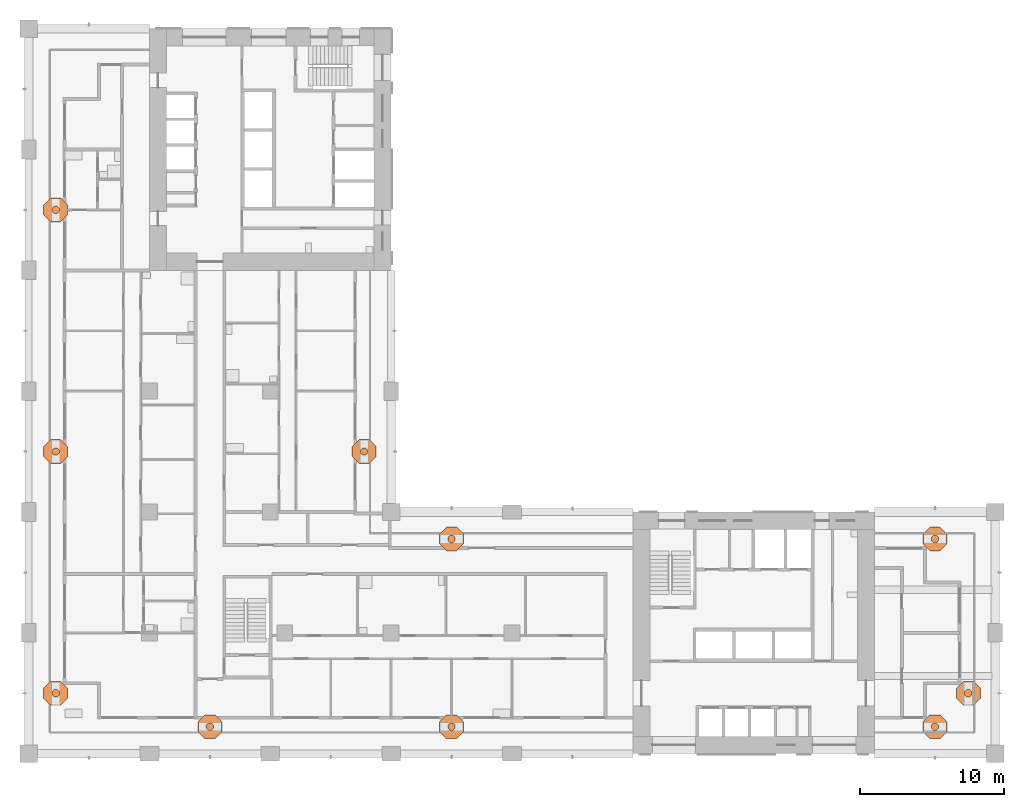
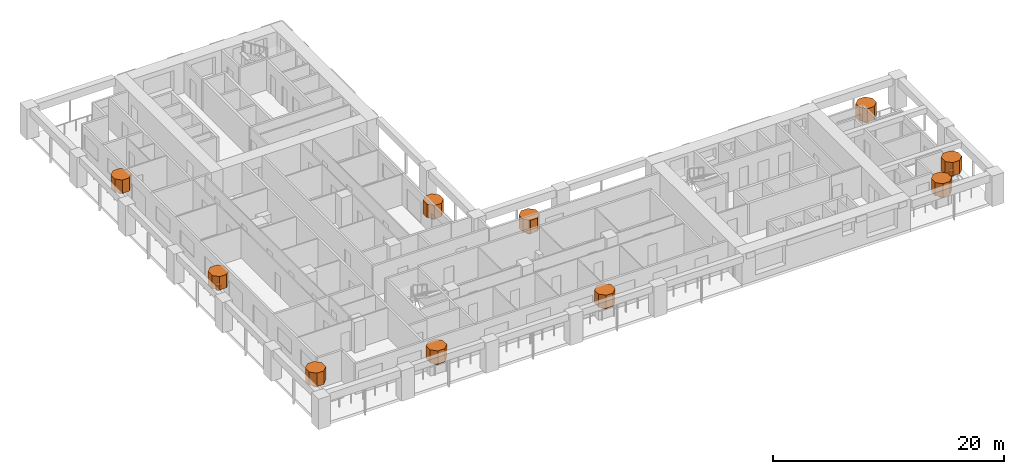
# One storey, part 18 of 18: 20 geographic elements.
"""IFC4 building model written with IfcOpenShell, lengths in metres."""

import ifcopenshell
import ifcopenshell.guid

model = None  # the IFC model being written
_history = None  # IfcOwnerHistory: only IFC2X3 demands one
_inside = {}  # id of a spatial element -> (the spatial element, [elements in it])
_under = {}  # id of a project, library or spatial element -> (it, [spatial elements below it])
_declared = {}  # id of a project -> (the project, [libraries it declares])
_typed = {}  # id of a type object -> (the type object, [elements of that type])
_made_of = {}  # id of a material, layer set ... -> (it, [elements and type objects made of it])


def new_model(schema):
    """Start an empty IFC model of exactly this schema.

    Asked for "IFC4X3", IfcOpenShell would pick the latest addendum, in which some entities
    have other attributes; the version numbers below select the first issue.
    IFC2X3 requires an IfcOwnerHistory on every rooted entity: one is made here for all.
    """
    global model, _history
    if schema == "IFC4X3":
        model = ifcopenshell.file(schema_version=(4, 3, 0, 0))
    else:
        model = ifcopenshell.file(schema=schema)
    _inside.clear()
    _under.clear()
    _declared.clear()
    _typed.clear()
    _made_of.clear()
    _history = None
    if model.schema == "IFC2X3":
        org = make("IfcOrganization", Name="unknown")
        user = make(
            "IfcPersonAndOrganization",
            ThePerson=make("IfcPerson", FamilyName="unknown"),
            TheOrganization=org,
        )
        app = make(
            "IfcApplication",
            ApplicationDeveloper=org,
            Version="unknown",
            ApplicationFullName="unknown",
            ApplicationIdentifier="unknown",
        )
        _history = make(
            "IfcOwnerHistory",
            OwningUser=user,
            OwningApplication=app,
            ChangeAction="ADDED",
            CreationDate=0,
        )
    return model


def make(cls, **values):
    """One entity of the class cls with the attributes given. An attribute that is None is left unset."""
    return model.create_entity(
        cls, **{name: value for name, value in values.items() if value is not None}
    )


def rooted(cls, **values):
    """An entity with a GlobalId (a new one), such as an element, a storey or a relation."""
    return make(cls, GlobalId=ifcopenshell.guid.new(), OwnerHistory=_history, **values)


def si_unit(unit_type, name, prefix=None):
    """IfcSIUnit, for example si_unit("LENGTHUNIT", "METRE", prefix="MILLI")."""
    return make("IfcSIUnit", UnitType=unit_type, Prefix=prefix, Name=name)


def assignment(units):
    """IfcUnitAssignment: the units of a project."""
    return None if units is None else make("IfcUnitAssignment", Units=units)


def point(xyz):
    """IfcCartesianPoint."""
    return None if xyz is None else make("IfcCartesianPoint", Coordinates=xyz)


def direction(xyz):
    """IfcDirection."""
    return None if xyz is None else make("IfcDirection", DirectionRatios=xyz)


def frame(location, z_axis=None, x_axis=None):
    """IfcAxis2Placement3D, a coordinate frame: its origin and axes. An axis left out is left unset."""
    return make(
        "IfcAxis2Placement3D",
        Location=point(location),
        Axis=direction(z_axis),
        RefDirection=direction(x_axis),
    )


def origin():
    """The frame at (0, 0, 0) with its axes left unset."""
    return frame((0.0, 0.0, 0.0))


def place(relative_to, where):
    """IfcLocalPlacement: puts the frame where relative to a parent placement (None: the world)."""
    return make(
        "IfcLocalPlacement", PlacementRelTo=relative_to, RelativePlacement=where
    )


def context(
    kind, dimensions, precision=None, world=None, true_north=None, identifier=None
):
    """IfcGeometricRepresentationContext, for example the 3D "Model" context."""
    return make(
        "IfcGeometricRepresentationContext",
        ContextIdentifier=identifier,
        ContextType=kind,
        CoordinateSpaceDimension=dimensions,
        Precision=precision,
        WorldCoordinateSystem=world,
        TrueNorth=true_north,
    )


def subcontext(parent, identifier, kind, view, scale=None):
    """IfcGeometricRepresentationSubContext, for example "Body" below "Model"."""
    return make(
        "IfcGeometricRepresentationSubContext",
        ContextIdentifier=identifier,
        ContextType=kind,
        ParentContext=parent,
        TargetScale=scale,
        TargetView=view,
    )


def project(units=None, contexts=None):
    """IfcProject with its units and contexts."""
    return rooted(
        "IfcProject",
        Name="project",
        RepresentationContexts=contexts,
        UnitsInContext=assignment(units),
    )


def spatial(cls, under=None, at=None, **own):
    """A site, building, storey or space (cls), placed at a placement, below another one or the project."""
    s = rooted(cls, ObjectPlacement=at, **own)
    if under is not None:
        _under.setdefault(under.id(), (under, []))[1].append(s)
    return s


def polyline(points):
    """IfcPolyline through the points."""
    return make("IfcPolyline", Points=[point(p) for p in points])


def outline(outer, holes=None, kind="AREA"):
    """IfcArbitraryClosedProfileDef: a profile drawn as a closed curve; with holes, ...WithVoids."""
    if holes is None:
        return make("IfcArbitraryClosedProfileDef", ProfileType=kind, OuterCurve=outer)
    return make(
        "IfcArbitraryProfileDefWithVoids",
        ProfileType=kind,
        OuterCurve=outer,
        InnerCurves=holes,
    )


def extrude(swept, where, along, depth):
    """IfcExtrudedAreaSolid: the profile swept, set in the frame where, extruded along a direction by depth."""
    return make(
        "IfcExtrudedAreaSolid",
        SweptArea=swept,
        Position=where,
        ExtrudedDirection=direction(along),
        Depth=depth,
    )


def shape(context_of_items, identifier, shape_type, items):
    """IfcShapeRepresentation: the items that make up one representation, for example the "Body"."""
    return make(
        "IfcShapeRepresentation",
        ContextOfItems=context_of_items,
        RepresentationIdentifier=identifier,
        RepresentationType=shape_type,
        Items=items,
    )


def material(Name=None, Category=None):
    """IfcMaterial."""
    return make("IfcMaterial", Name=Name, Category=Category)


def made_of(thing, what):
    """Note that an element or type object is made of a material, layer set ...; save() writes the relation."""
    if what is not None:
        _made_of.setdefault(what.id(), (what, []))[1].append(thing)
    return thing


def element(
    cls,
    number,
    at=None,
    inside=None,
    cuts=None,
    type_object=None,
    material=None,
    context=None,
    identifier="Body",
    shape_type=None,
    held_by="IfcProductDefinitionShape",
    body=None,
    shapes=None,
    **own,
):
    """One element of the class cls, such as IfcWall. Its Tag is "e" and its number.

    at: its placement. inside: the storey or other place that contains it. cuts: it is an
    opening in that element (IfcRelVoidsElement). A single representation is given by context,
    identifier, shape_type and body (its items); several are given by shapes. held_by: the class
    of the entity that holds the representations. save() writes the other relations.
    """
    e = rooted(cls, Tag="e%d" % number, ObjectPlacement=at, **own)
    if body is not None:
        shapes = [shape(context, identifier, shape_type, body)]
    if shapes is not None:
        e.Representation = make(held_by, Representations=shapes)
    if inside is not None:
        _inside.setdefault(inside.id(), (inside, []))[1].append(e)
    if cuts is not None:
        rooted(
            "IfcRelVoidsElement", RelatingBuildingElement=cuts, RelatedOpeningElement=e
        )
    if type_object is not None:
        _typed.setdefault(type_object.id(), (type_object, []))[1].append(e)
    return made_of(e, material)


def aggregate(whole, parts):
    """IfcRelAggregates: a whole, such as a stair, and the parts it consists of."""
    return rooted("IfcRelAggregates", RelatingObject=whole, RelatedObjects=parts)


def save(model, path):
    """Write the relations noted so far, then the file.

    IfcRelAggregates (storeys below a building ...), IfcRelContainedInSpatialStructure (elements
    in a storey), IfcRelDefinesByType, IfcRelAssociatesMaterial and IfcRelDeclares: one each for
    every whole, place, type object, material and project.
    """
    for whole, parts in _under.values():
        aggregate(whole, parts)
    for where, things in _inside.values():
        rooted(
            "IfcRelContainedInSpatialStructure",
            RelatedElements=things,
            RelatingStructure=where,
        )
    for kind, things in _typed.values():
        rooted("IfcRelDefinesByType", RelatedObjects=things, RelatingType=kind)
    for what, things in _made_of.values():
        rooted("IfcRelAssociatesMaterial", RelatedObjects=things, RelatingMaterial=what)
    for by, libraries in _declared.values():
        rooted("IfcRelDeclares", RelatingContext=by, RelatedDefinitions=libraries)
    model.write(path)


model = new_model("IFC4")

# Units and contexts
model_context = context("Model", 3, precision=1e-05, world=origin(), true_north=direction((0.0, 1.0)))
body_context = subcontext(model_context, "Body", "Model", "MODEL_VIEW")
ifc_project = project(units=[si_unit("LENGTHUNIT", "METRE"), si_unit("AREAUNIT", "SQUARE_METRE"), si_unit("VOLUMEUNIT", "CUBIC_METRE"), si_unit("PLANEANGLEUNIT", "RADIAN"), si_unit("MASSUNIT", "GRAM", prefix="KILO")], contexts=[model_context])

# Site, building, storey
site_placement = place(None, origin())
site = spatial("IfcSite", under=ifc_project, at=site_placement, CompositionType="ELEMENT")
building_placement = place(site_placement, origin())
building = spatial("IfcBuilding", under=site, at=building_placement, Name="Vermilion Gate Residences", CompositionType="ELEMENT")
storey_placement = place(building_placement, frame((0.0, 0.0, 105.699951171875)))
storey = spatial("IfcBuildingStorey", under=building, at=storey_placement, Name="L26", CompositionType="ELEMENT", Elevation=105.699951171875)

# Geographic elements
ifc_material = material(Name="Foliage")
geographic_element_1_placement = place(storey_placement, frame((0.0, 0.0, 0.900146484375)))
element("IfcGeographicElement", 1, at=geographic_element_1_placement, inside=storey, material=ifc_material, Name="Tree (black pine)", ObjectType="TREE", PredefinedType="USERDEFINED", context=body_context, shape_type="SweptSolid", body=[
    extrude(outline(polyline([(12.85400390625, 10.380126953125), (12.705078125, 10.529052734375), (12.494873046875, 10.529052734375), (12.345947265625, 10.380126953125), (12.345947265625, 10.169921875), (12.494873046875, 10.02099609375), (12.705078125, 10.02099609375), (12.85400390625, 10.169921875), (12.85400390625, 10.380126953125)])), origin(), (0.0, 0.0, 1.0), 0.52001953125),
])
geographic_element_2_placement = place(storey_placement, frame((0.0, 0.0, 1.420166015625)))
element("IfcGeographicElement", 2, at=geographic_element_2_placement, inside=storey, material=ifc_material, Name="Tree crown (black pine)", ObjectType="TREE", PredefinedType="USERDEFINED", context=body_context, shape_type="SweptSolid", body=[
    extrude(outline(polyline([(13.431396484375, 10.619384765625), (12.9443359375, 11.1064453125), (12.255615234375, 11.1064453125), (11.7685546875, 10.619384765625), (11.7685546875, 9.9306640625), (12.255615234375, 9.443603515625), (12.9443359375, 9.443603515625), (13.431396484375, 9.9306640625), (13.431396484375, 10.619384765625)])), origin(), (0.0, 0.0, 1.0), 1.39990234375),
])
geographic_element_3_placement = place(storey_placement, frame((0.0, 0.0, 0.900146484375)))
element("IfcGeographicElement", 3, at=geographic_element_3_placement, inside=storey, material=ifc_material, Name="Tree (maple)", ObjectType="TREE", PredefinedType="USERDEFINED", context=body_context, shape_type="SweptSolid", body=[
    extrude(outline(polyline([(29.654052734375, 10.380126953125), (29.505126953125, 10.529052734375), (29.294921875, 10.529052734375), (29.14599609375, 10.380126953125), (29.14599609375, 10.169921875), (29.294921875, 10.02099609375), (29.505126953125, 10.02099609375), (29.654052734375, 10.169921875), (29.654052734375, 10.380126953125)])), origin(), (0.0, 0.0, 1.0), 0.52001953125),
])
geographic_element_4_placement = place(storey_placement, frame((0.0, 0.0, 1.420166015625)))
element("IfcGeographicElement", 4, at=geographic_element_4_placement, inside=storey, material=ifc_material, Name="Tree crown (maple)", ObjectType="TREE", PredefinedType="USERDEFINED", context=body_context, shape_type="SweptSolid", body=[
    extrude(outline(polyline([(30.2314453125, 10.619384765625), (29.744384765625, 11.1064453125), (29.0556640625, 11.1064453125), (28.568603515625, 10.619384765625), (28.568603515625, 9.9306640625), (29.0556640625, 9.443603515625), (29.744384765625, 9.443603515625), (30.2314453125, 9.9306640625), (30.2314453125, 10.619384765625)])), origin(), (0.0, 0.0, 1.0), 1.39990234375),
])
geographic_element_5_placement = place(storey_placement, frame((0.0, 0.0, 0.900146484375)))
element("IfcGeographicElement", 5, at=geographic_element_5_placement, inside=storey, material=ifc_material, Name="Tree (maple)", ObjectType="TREE", PredefinedType="USERDEFINED", context=body_context, shape_type="SweptSolid", body=[
    extrude(outline(polyline([(63.254150390625, 10.380126953125), (63.105224609375, 10.529052734375), (62.894775390625, 10.529052734375), (62.745849609375, 10.380126953125), (62.745849609375, 10.169921875), (62.894775390625, 10.02099609375), (63.105224609375, 10.02099609375), (63.254150390625, 10.169921875), (63.254150390625, 10.380126953125)])), origin(), (0.0, 0.0, 1.0), 0.52001953125),
])
geographic_element_6_placement = place(storey_placement, frame((0.0, 0.0, 1.420166015625)))
element("IfcGeographicElement", 6, at=geographic_element_6_placement, inside=storey, material=ifc_material, Name="Tree crown (maple)", ObjectType="TREE", PredefinedType="USERDEFINED", context=body_context, shape_type="SweptSolid", body=[
    extrude(outline(polyline([(63.83154296875, 10.619384765625), (63.344482421875, 11.1064453125), (62.655517578125, 11.1064453125), (62.16845703125, 10.619384765625), (62.16845703125, 9.9306640625), (62.655517578125, 9.443603515625), (63.344482421875, 9.443603515625), (63.83154296875, 9.9306640625), (63.83154296875, 10.619384765625)])), origin(), (0.0, 0.0, 1.0), 1.39990234375),
])
geographic_element_7_placement = place(storey_placement, frame((0.0, 0.0, 0.900146484375)))
element("IfcGeographicElement", 7, at=geographic_element_7_placement, inside=storey, material=ifc_material, Name="Tree (black pine)", ObjectType="TREE", PredefinedType="USERDEFINED", context=body_context, shape_type="SweptSolid", body=[
    extrude(outline(polyline([(65.5791015625, 12.705078125), (65.43017578125, 12.85400390625), (65.2197265625, 12.85400390625), (65.07080078125, 12.705078125), (65.07080078125, 12.494873046875), (65.2197265625, 12.345947265625), (65.43017578125, 12.345947265625), (65.5791015625, 12.494873046875), (65.5791015625, 12.705078125)])), origin(), (0.0, 0.0, 1.0), 0.52001953125),
])
geographic_element_8_placement = place(storey_placement, frame((0.0, 0.0, 1.420166015625)))
element("IfcGeographicElement", 8, at=geographic_element_8_placement, inside=storey, material=ifc_material, Name="Tree crown (black pine)", ObjectType="TREE", PredefinedType="USERDEFINED", context=body_context, shape_type="SweptSolid", body=[
    extrude(outline(polyline([(66.156494140625, 12.9443359375), (65.66943359375, 13.431396484375), (64.980712890625, 13.431396484375), (64.493408203125, 12.9443359375), (64.493408203125, 12.255615234375), (64.980712890625, 11.7685546875), (65.66943359375, 11.7685546875), (66.156494140625, 12.255615234375), (66.156494140625, 12.9443359375)])), origin(), (0.0, 0.0, 1.0), 1.39990234375),
])
geographic_element_9_placement = place(storey_placement, frame((0.0, 0.0, 0.900146484375)))
element("IfcGeographicElement", 9, at=geographic_element_9_placement, inside=storey, material=ifc_material, Name="Tree (maple)", ObjectType="TREE", PredefinedType="USERDEFINED", context=body_context, shape_type="SweptSolid", body=[
    extrude(outline(polyline([(29.654052734375, 23.43017578125), (29.505126953125, 23.5791015625), (29.294921875, 23.5791015625), (29.14599609375, 23.43017578125), (29.14599609375, 23.2197265625), (29.294921875, 23.07080078125), (29.505126953125, 23.07080078125), (29.654052734375, 23.2197265625), (29.654052734375, 23.43017578125)])), origin(), (0.0, 0.0, 1.0), 0.52001953125),
])
geographic_element_10_placement = place(storey_placement, frame((0.0, 0.0, 1.420166015625)))
element("IfcGeographicElement", 10, at=geographic_element_10_placement, inside=storey, material=ifc_material, Name="Tree crown (maple)", ObjectType="TREE", PredefinedType="USERDEFINED", context=body_context, shape_type="SweptSolid", body=[
    extrude(outline(polyline([(30.2314453125, 23.66943359375), (29.744384765625, 24.156494140625), (29.0556640625, 24.156494140625), (28.568603515625, 23.66943359375), (28.568603515625, 22.980712890625), (29.0556640625, 22.493408203125), (29.744384765625, 22.493408203125), (30.2314453125, 22.980712890625), (30.2314453125, 23.66943359375)])), origin(), (0.0, 0.0, 1.0), 1.39990234375),
])
geographic_element_11_placement = place(storey_placement, frame((0.0, 0.0, 0.900146484375)))
element("IfcGeographicElement", 11, at=geographic_element_11_placement, inside=storey, material=ifc_material, Name="Tree (maple)", ObjectType="TREE", PredefinedType="USERDEFINED", context=body_context, shape_type="SweptSolid", body=[
    extrude(outline(polyline([(63.254150390625, 23.43017578125), (63.105224609375, 23.5791015625), (62.894775390625, 23.5791015625), (62.745849609375, 23.43017578125), (62.745849609375, 23.2197265625), (62.894775390625, 23.07080078125), (63.105224609375, 23.07080078125), (63.254150390625, 23.2197265625), (63.254150390625, 23.43017578125)])), origin(), (0.0, 0.0, 1.0), 0.52001953125),
])
geographic_element_12_placement = place(storey_placement, frame((0.0, 0.0, 1.420166015625)))
element("IfcGeographicElement", 12, at=geographic_element_12_placement, inside=storey, material=ifc_material, Name="Tree crown (maple)", ObjectType="TREE", PredefinedType="USERDEFINED", context=body_context, shape_type="SweptSolid", body=[
    extrude(outline(polyline([(63.83154296875, 23.66943359375), (63.344482421875, 24.156494140625), (62.655517578125, 24.156494140625), (62.16845703125, 23.66943359375), (62.16845703125, 22.980712890625), (62.655517578125, 22.493408203125), (63.344482421875, 22.493408203125), (63.83154296875, 22.980712890625), (63.83154296875, 23.66943359375)])), origin(), (0.0, 0.0, 1.0), 1.39990234375),
])
geographic_element_13_placement = place(storey_placement, frame((0.0, 0.0, 0.900146484375)))
element("IfcGeographicElement", 13, at=geographic_element_13_placement, inside=storey, material=ifc_material, Name="Tree (maple)", ObjectType="TREE", PredefinedType="USERDEFINED", context=body_context, shape_type="SweptSolid", body=[
    extrude(outline(polyline([(23.5791015625, 29.505126953125), (23.43017578125, 29.654052734375), (23.2197265625, 29.654052734375), (23.07080078125, 29.505126953125), (23.07080078125, 29.294921875), (23.2197265625, 29.14599609375), (23.43017578125, 29.14599609375), (23.5791015625, 29.294921875), (23.5791015625, 29.505126953125)])), origin(), (0.0, 0.0, 1.0), 0.52001953125),
])
geographic_element_14_placement = place(storey_placement, frame((0.0, 0.0, 1.420166015625)))
element("IfcGeographicElement", 14, at=geographic_element_14_placement, inside=storey, material=ifc_material, Name="Tree crown (maple)", ObjectType="TREE", PredefinedType="USERDEFINED", context=body_context, shape_type="SweptSolid", body=[
    extrude(outline(polyline([(24.156494140625, 29.744384765625), (23.66943359375, 30.2314453125), (22.980712890625, 30.2314453125), (22.493408203125, 29.744384765625), (22.493408203125, 29.0556640625), (22.980712890625, 28.568603515625), (23.66943359375, 28.568603515625), (24.156494140625, 29.0556640625), (24.156494140625, 29.744384765625)])), origin(), (0.0, 0.0, 1.0), 1.39990234375),
])
geographic_element_15_placement = place(storey_placement, frame((0.0, 0.0, 0.900146484375)))
element("IfcGeographicElement", 15, at=geographic_element_15_placement, inside=storey, material=ifc_material, Name="Tree (black pine)", ObjectType="TREE", PredefinedType="USERDEFINED", context=body_context, shape_type="SweptSolid", body=[
    extrude(outline(polyline([(2.129150390625, 12.705078125), (1.980224609375, 12.85400390625), (1.769775390625, 12.85400390625), (1.620849609375, 12.705078125), (1.620849609375, 12.494873046875), (1.769775390625, 12.345947265625), (1.980224609375, 12.345947265625), (2.129150390625, 12.494873046875), (2.129150390625, 12.705078125)])), origin(), (0.0, 0.0, 1.0), 0.52001953125),
])
geographic_element_16_placement = place(storey_placement, frame((0.0, 0.0, 1.420166015625)))
element("IfcGeographicElement", 16, at=geographic_element_16_placement, inside=storey, material=ifc_material, Name="Tree crown (black pine)", ObjectType="TREE", PredefinedType="USERDEFINED", context=body_context, shape_type="SweptSolid", body=[
    extrude(outline(polyline([(2.70654296875, 12.9443359375), (2.219482421875, 13.431396484375), (1.530517578125, 13.431396484375), (1.04345703125, 12.9443359375), (1.04345703125, 12.255615234375), (1.530517578125, 11.7685546875), (2.219482421875, 11.7685546875), (2.70654296875, 12.255615234375), (2.70654296875, 12.9443359375)])), origin(), (0.0, 0.0, 1.0), 1.39990234375),
])
geographic_element_17_placement = place(storey_placement, frame((0.0, 0.0, 0.900146484375)))
element("IfcGeographicElement", 17, at=geographic_element_17_placement, inside=storey, material=ifc_material, Name="Tree (maple)", ObjectType="TREE", PredefinedType="USERDEFINED", context=body_context, shape_type="SweptSolid", body=[
    extrude(outline(polyline([(2.129150390625, 29.505126953125), (1.980224609375, 29.654052734375), (1.769775390625, 29.654052734375), (1.620849609375, 29.505126953125), (1.620849609375, 29.294921875), (1.769775390625, 29.14599609375), (1.980224609375, 29.14599609375), (2.129150390625, 29.294921875), (2.129150390625, 29.505126953125)])), origin(), (0.0, 0.0, 1.0), 0.52001953125),
])
geographic_element_18_placement = place(storey_placement, frame((0.0, 0.0, 1.420166015625)))
element("IfcGeographicElement", 18, at=geographic_element_18_placement, inside=storey, material=ifc_material, Name="Tree crown (maple)", ObjectType="TREE", PredefinedType="USERDEFINED", context=body_context, shape_type="SweptSolid", body=[
    extrude(outline(polyline([(2.70654296875, 29.744384765625), (2.219482421875, 30.2314453125), (1.530517578125, 30.2314453125), (1.04345703125, 29.744384765625), (1.04345703125, 29.0556640625), (1.530517578125, 28.568603515625), (2.219482421875, 28.568603515625), (2.70654296875, 29.0556640625), (2.70654296875, 29.744384765625)])), origin(), (0.0, 0.0, 1.0), 1.39990234375),
])
geographic_element_19_placement = place(storey_placement, frame((0.0, 0.0, 0.900146484375)))
element("IfcGeographicElement", 19, at=geographic_element_19_placement, inside=storey, material=ifc_material, Name="Tree (black pine)", ObjectType="TREE", PredefinedType="USERDEFINED", context=body_context, shape_type="SweptSolid", body=[
    extrude(outline(polyline([(2.129150390625, 46.30517578125), (1.980224609375, 46.4541015625), (1.769775390625, 46.4541015625), (1.620849609375, 46.30517578125), (1.620849609375, 46.0947265625), (1.769775390625, 45.94580078125), (1.980224609375, 45.94580078125), (2.129150390625, 46.0947265625), (2.129150390625, 46.30517578125)])), origin(), (0.0, 0.0, 1.0), 0.52001953125),
])
geographic_element_20_placement = place(storey_placement, frame((0.0, 0.0, 1.420166015625)))
element("IfcGeographicElement", 20, at=geographic_element_20_placement, inside=storey, material=ifc_material, Name="Tree crown (black pine)", ObjectType="TREE", PredefinedType="USERDEFINED", context=body_context, shape_type="SweptSolid", body=[
    extrude(outline(polyline([(2.70654296875, 46.54443359375), (2.219482421875, 47.031494140625), (1.530517578125, 47.031494140625), (1.04345703125, 46.54443359375), (1.04345703125, 45.855712890625), (1.530517578125, 45.368408203125), (2.219482421875, 45.368408203125), (2.70654296875, 45.855712890625), (2.70654296875, 46.54443359375)])), origin(), (0.0, 0.0, 1.0), 1.39990234375),
])

save(model, "model.ifc")
